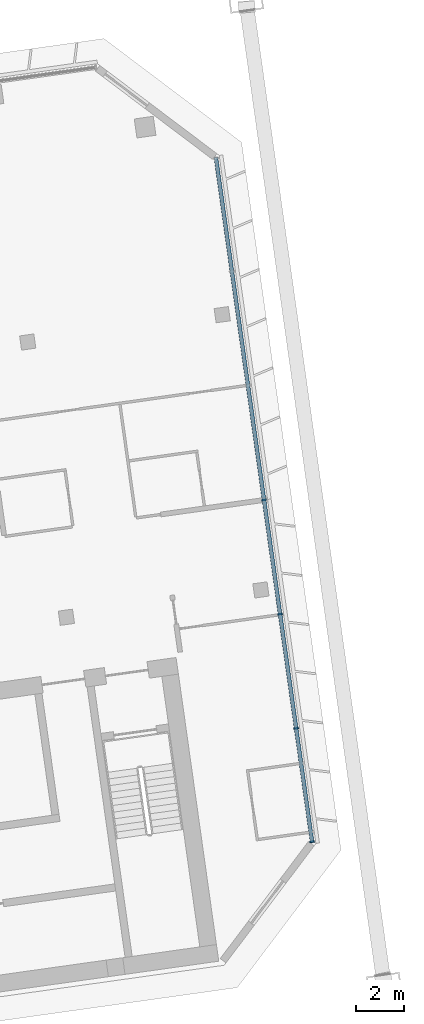
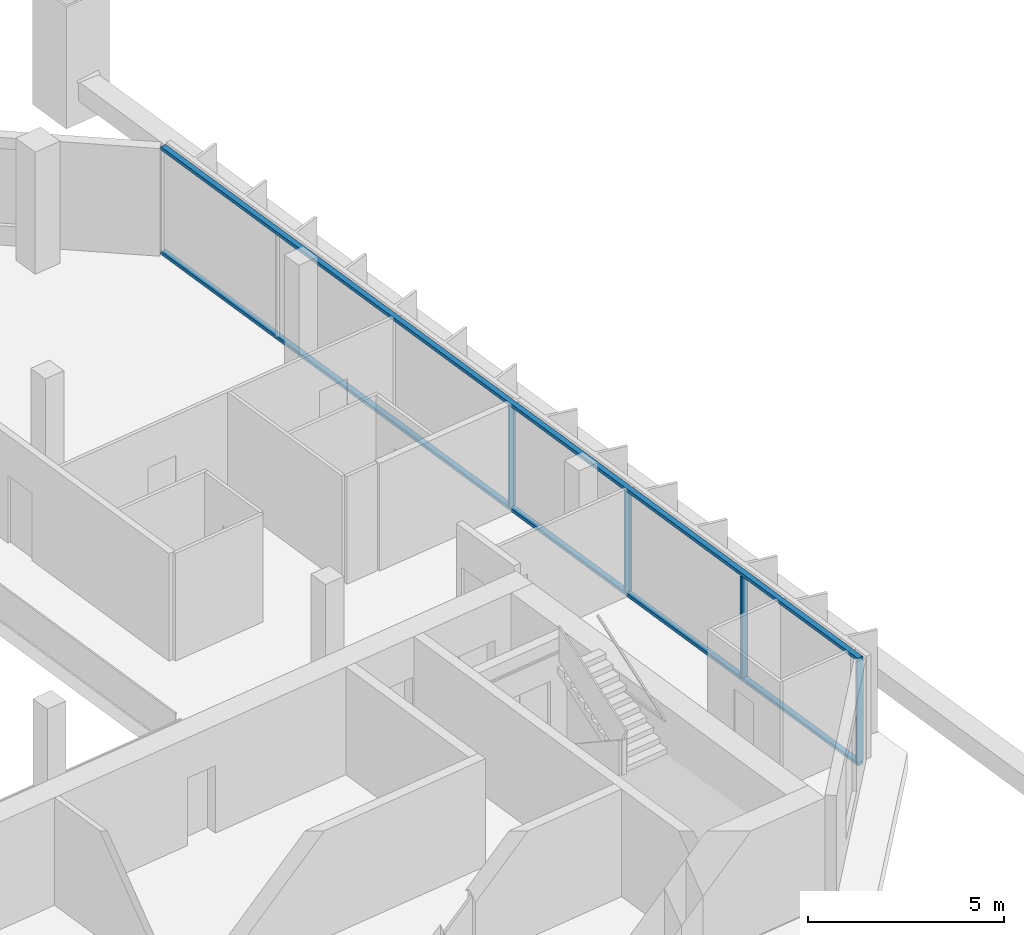
# One storey, part 11 of 31: 6 members, 1 element without a shape of its own.
"""IFC4 building model written with IfcOpenShell, lengths in metres."""

from ifc_helpers import new_model, si_unit, direction, frame, origin, origin_2d, place, context, subcontext, project, spatial, rectangle, extrude, material, material_profile, profile_set, type_object, element, aggregate, save


model = new_model("IFC4")

# Units and contexts
model_context = context("Model", 3, precision=1e-05, world=origin(), true_north=direction((0.0, 1.0)))
body_context = subcontext(model_context, "Body", "Model", "MODEL_VIEW")
ifc_project = project(units=[si_unit("LENGTHUNIT", "METRE"), si_unit("AREAUNIT", "SQUARE_METRE"), si_unit("VOLUMEUNIT", "CUBIC_METRE"), si_unit("PLANEANGLEUNIT", "RADIAN"), si_unit("MASSUNIT", "GRAM", prefix="KILO")], contexts=[model_context])

# Site, building, storey
site_placement = place(None, origin())
site = spatial("IfcSite", under=ifc_project, at=site_placement, CompositionType="ELEMENT")
building_placement = place(site_placement, origin())
building = spatial("IfcBuilding", under=site, at=building_placement, Name="Mirante Cascada Hotel Towers", CompositionType="ELEMENT")
storey_placement = place(building_placement, frame((0.0, 0.0, 157.4)))
storey = spatial("IfcBuildingStorey", under=building, at=storey_placement, Name="L36", CompositionType="ELEMENT", Elevation=157.4)

# Curtain wall, members
ifc_material_1 = material(Name="Aluminium mullion and transom frame with clear laminated glass", Category="aluminium")
curtain_wall_type = type_object("IfcCurtainWallType", Name="End ribbon curtain wall ECW2", PredefinedType="NOTDEFINED", material=ifc_material_1)
curtain_wall_placement = place(storey_placement, origin())
curtain_wall = element("IfcCurtainWall", 1, at=curtain_wall_placement, inside=storey, type_object=curtain_wall_type, Name="Outer end wall T2 L36", PredefinedType="NOTDEFINED")
ifc_material_2 = material(Name="Anodised aluminium extrusion", Category="aluminium")
ifc_material_profile_1 = material_profile(ifc_material_2, rectangle(XDim=0.2, YDim=0.065, at=origin_2d()), Name="ECW2 MULLION 65x200")
ifc_profile_set_1 = profile_set([ifc_material_profile_1], Name="Anodised aluminium extrusion")
member_type_1 = type_object("IfcMemberType", Name="ECW2 mullion 65x200", PredefinedType="MULLION", material=ifc_profile_set_1)
member_1_placement = place(storey_placement, frame((94.2432, -7.5181, 0.1), z_axis=(0.0, 0.0, 1.0), x_axis=(-0.9902681, -0.1391731, 0.0)))
member_1 = element("IfcMember", 2, at=member_1_placement, type_object=member_type_1, Name="ECW2 mullion 1", PredefinedType="MULLION", context=body_context, shape_type="SweptSolid", body=[
    extrude(rectangle(XDim=0.2, YDim=0.065, at=origin_2d()), origin(), (0.0, 0.0, 1.0), 3.15),
])
member_2_placement = place(storey_placement, frame((93.5779, -2.7845, 0.1), z_axis=(0.0, 0.0, 1.0), x_axis=(-0.9902681, -0.1391731, 0.0)))
member_2 = element("IfcMember", 3, at=member_2_placement, type_object=member_type_1, Name="ECW2 mullion 2", PredefinedType="MULLION", context=body_context, shape_type="SweptSolid", body=[
    extrude(rectangle(XDim=0.2, YDim=0.065, at=origin_2d()), origin(), (0.0, 0.0, 1.0), 3.15),
])
member_3_placement = place(storey_placement, frame((92.9081, 1.9812, 0.1), z_axis=(0.0, 0.0, 1.0), x_axis=(-0.9902681, -0.1391731, 0.0)))
member_3 = element("IfcMember", 4, at=member_3_placement, type_object=member_type_1, Name="ECW2 mullion 3", PredefinedType="MULLION", context=body_context, shape_type="SweptSolid", body=[
    extrude(rectangle(XDim=0.2, YDim=0.065, at=origin_2d()), origin(), (0.0, 0.0, 1.0), 3.15),
])
member_4_placement = place(storey_placement, frame((92.2383, 6.747, 0.1), z_axis=(0.0, 0.0, 1.0), x_axis=(-0.9902681, -0.1391731, 0.0)))
member_4 = element("IfcMember", 5, at=member_4_placement, type_object=member_type_1, Name="ECW2 mullion 4", PredefinedType="MULLION", context=body_context, shape_type="SweptSolid", body=[
    extrude(rectangle(XDim=0.2, YDim=0.065, at=origin_2d()), origin(), (0.0, 0.0, 1.0), 3.15),
])
ifc_material_3 = material(Name="Anodised aluminium extrusion", Category="aluminium")
ifc_material_profile_2 = material_profile(ifc_material_3, rectangle(XDim=0.16, YDim=0.1, at=origin_2d()), Name="ECW2 TRANSOM 100x160")
ifc_profile_set_2 = profile_set([ifc_material_profile_2], Name="Anodised aluminium extrusion")
member_type_2 = type_object("IfcMemberType", Name="ECW2 transom 100x160", PredefinedType="USERDEFINED", material=ifc_profile_set_2)
member_5_placement = place(storey_placement, frame((94.2477, -7.5503, 0.05), z_axis=(-0.1391723, 0.9902682, 0.0), x_axis=(-0.9902682, -0.1391723, 0.0)))
member_5 = element("IfcMember", 6, at=member_5_placement, type_object=member_type_2, Name="ECW2 sill transom", ObjectType="TRANSOM", PredefinedType="USERDEFINED", context=body_context, shape_type="SweptSolid", body=[
    extrude(rectangle(XDim=0.16, YDim=0.1, at=origin_2d()), origin(), (0.0, 0.0, 1.0), 28.8757),
])
member_6_placement = place(storey_placement, frame((94.2477, -7.5503, 3.3), z_axis=(-0.1391723, 0.9902682, 0.0), x_axis=(-0.9902682, -0.1391723, 0.0)))
member_6 = element("IfcMember", 7, at=member_6_placement, type_object=member_type_2, Name="ECW2 head transom", ObjectType="TRANSOM", PredefinedType="USERDEFINED", context=body_context, shape_type="SweptSolid", body=[
    extrude(rectangle(XDim=0.16, YDim=0.1, at=origin_2d()), origin(), (0.0, 0.0, 1.0), 28.8757),
])
aggregate(curtain_wall, [member_5, member_6, member_1, member_2, member_3, member_4])

save(model, "model.ifc")
